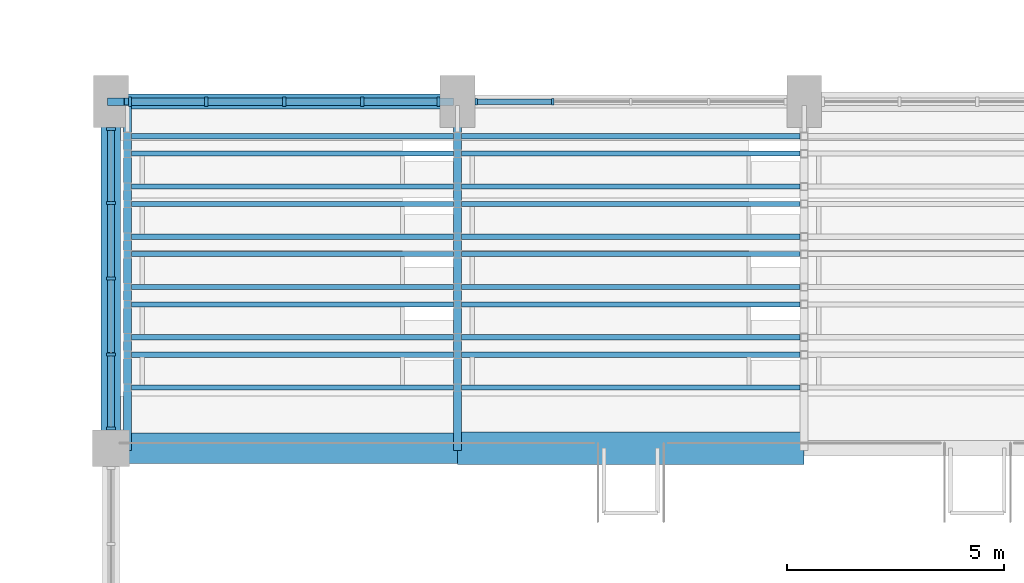
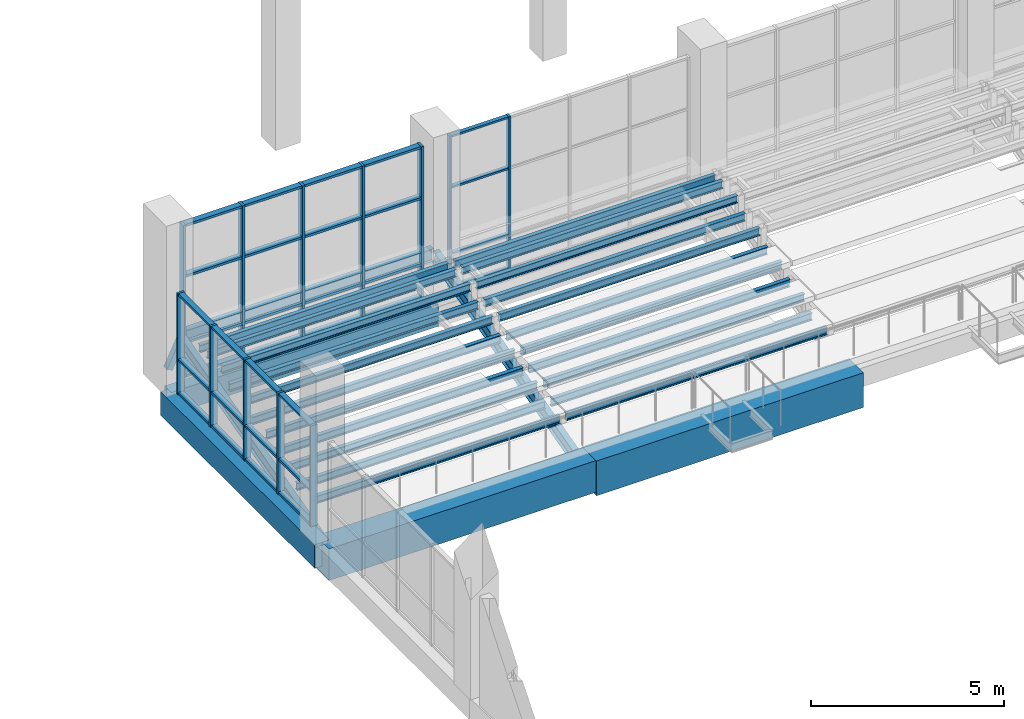
# One storey, part 15 of 122: 45 members, 29 beams, 3 elements without a shape of their own.
"""IFC4 building model written with IfcOpenShell, lengths in metres."""

from ifc_helpers import new_model, si_unit, direction, frame, origin, origin_2d, place, context, subcontext, project, spatial, rectangle, hollow_rectangle, i_section, extrude, material, material_profile, profile_set, type_object, element, aggregate, save


model = new_model("IFC4")

# Units and contexts
model_context = context("Model", 3, precision=1e-05, world=origin(), true_north=direction((0.0, 1.0)))
body_context = subcontext(model_context, "Body", "Model", "MODEL_VIEW")
ifc_project = project(units=[si_unit("LENGTHUNIT", "METRE"), si_unit("AREAUNIT", "SQUARE_METRE"), si_unit("VOLUMEUNIT", "CUBIC_METRE"), si_unit("PLANEANGLEUNIT", "RADIAN"), si_unit("MASSUNIT", "GRAM", prefix="KILO")], contexts=[model_context])

# Site, building, storey
site_placement = place(None, origin())
site = spatial("IfcSite", under=ifc_project, at=site_placement, CompositionType="ELEMENT")
building_placement = place(site_placement, origin())
building = spatial("IfcBuilding", under=site, at=building_placement, Name="Tenunan Teduh Sports Hall", CompositionType="ELEMENT")
storey_placement = place(building_placement, frame((0.0, 0.0, 5.39990234375)))
storey = spatial("IfcBuildingStorey", under=building, at=storey_placement, Name="L01", CompositionType="ELEMENT", Elevation=5.39990234375)

# Beams
ifc_material_1 = material(Name="Concrete C40/50", Category="concrete")
ifc_material_profile_1 = material_profile(ifc_material_1, rectangle(XDim=0.35009765625, YDim=0.699951171875, at=origin_2d()), Name="RCB 350x700")
ifc_profile_set_1 = profile_set([ifc_material_profile_1], Name="Concrete C40/50")
beam_type_1 = type_object("IfcBeamType", Name="BM-RC-350x700", PredefinedType="BEAM", material=ifc_profile_set_1)
beam_1_placement = place(storey_placement, frame((6.0, 46.0, -0.60986328125), z_axis=(1.0, 0.0, 0.0), x_axis=(0.0, 1.0, 0.0)))
element("IfcBeam", 1, at=beam_1_placement, inside=storey, type_object=beam_type_1, Name="BM-B-06-L01-1070", PredefinedType="BEAM", context=body_context, shape_type="SweptSolid", body=[
    extrude(rectangle(XDim=0.35009765625, YDim=0.699951171875, at=origin_2d()), origin(), (0.0, 0.0, 1.0), 8.0),
])
ifc_material_2 = material(Name="Concrete C40/50", Category="concrete")
ifc_material_profile_2 = material_profile(ifc_material_2, rectangle(XDim=0.449951171875, YDim=0.75, at=origin_2d()), Name="RCB 450x750")
ifc_profile_set_2 = profile_set([ifc_material_profile_2], Name="Concrete C40/50")
beam_type_2 = type_object("IfcBeamType", Name="BM-RC-450x750", PredefinedType="BEAM", material=ifc_profile_set_2)
beam_2_placement = place(storey_placement, frame((6.0, 38.0, -0.635009765625), z_axis=(0.0, 1.0, 0.0), x_axis=(-1.0, 0.0, 0.0)))
element("IfcBeam", 2, at=beam_2_placement, inside=storey, type_object=beam_type_2, Name="BM-B-11-L01-1188", PredefinedType="BEAM", context=body_context, shape_type="SweptSolid", body=[
    extrude(rectangle(XDim=0.449951171875, YDim=0.75, at=origin_2d()), origin(), (0.0, 0.0, 1.0), 8.0),
])
ifc_material_3 = material(Name="Concrete C40/50", Category="concrete")
ifc_material_profile_3 = material_profile(ifc_material_3, rectangle(XDim=0.699951171875, YDim=1.0, at=origin_2d()), Name="RCB 700x1000")
ifc_profile_set_3 = profile_set([ifc_material_profile_3], Name="Concrete C40/50")
beam_type_3 = type_object("IfcBeamType", Name="BM-RC-700x1000", PredefinedType="SPANDREL", material=ifc_profile_set_3)
beam_3_placement = place(storey_placement, frame((6.0, 38.0, -0.760009765625), z_axis=(1.0, 0.0, 0.0), x_axis=(0.0, 1.0, 0.0)))
element("IfcBeam", 3, at=beam_3_placement, inside=storey, type_object=beam_type_3, Name="BM-B-19-L01-1054", PredefinedType="SPANDREL", context=body_context, shape_type="SweptSolid", body=[
    extrude(rectangle(XDim=0.699951171875, YDim=1.0, at=origin_2d()), origin(), (0.0, 0.0, 1.0), 8.0),
])
ifc_material_4 = material(Name="Concrete C40/50", Category="concrete")
ifc_material_profile_4 = material_profile(ifc_material_4, rectangle(XDim=0.75, YDim=1.10009765625, at=origin_2d()), Name="RCB 750x1100")
ifc_profile_set_4 = profile_set([ifc_material_profile_4], Name="Concrete C40/50")
beam_type_4 = type_object("IfcBeamType", Name="BM-RC-750x1100", PredefinedType="SPANDREL", material=ifc_profile_set_4)
beam_4_placement = place(storey_placement, frame((14.0, 38.0, -0.809814453125), z_axis=(1.0, 0.0, 0.0), x_axis=(0.0, 1.0, 0.0)))
element("IfcBeam", 4, at=beam_4_placement, inside=storey, type_object=beam_type_4, Name="BM-B-20-L01-1055", PredefinedType="SPANDREL", context=body_context, shape_type="SweptSolid", body=[
    extrude(rectangle(XDim=0.75, YDim=1.10009765625, at=origin_2d()), origin(), (0.0, 0.0, 1.0), 8.0),
])

# Curtain wall, members
ifc_material_5 = material(Name="Anodised aluminium", Category="aluminium")
curtain_wall_type = type_object("IfcCurtainWallType", Name="CW-UNIT-1", PredefinedType="NOTDEFINED", material=ifc_material_5)
curtain_wall_1_placement = place(storey_placement, origin())
curtain_wall_1 = element("IfcCurtainWall", 5, at=curtain_wall_1_placement, inside=storey, type_object=curtain_wall_type, Name="CW-CWM-150-L01-043", PredefinedType="NOTDEFINED")
ifc_material_6 = material(Name="Anodised aluminium", Category="aluminium")
ifc_material_profile_5 = material_profile(ifc_material_6, rectangle(XDim=0.06005859375, YDim=0.14990234375, at=origin_2d()), Name="CWM 60x150")
ifc_profile_set_5 = profile_set([ifc_material_profile_5], Name="Anodised aluminium")
member_type_1 = type_object("IfcMemberType", Name="CWM-150", PredefinedType="MULLION", material=ifc_profile_set_5)
member_1_placement = place(storey_placement, frame((14.429931640625, 46.0, 0.0), z_axis=(0.0, 0.0, 1.0), x_axis=(1.0, 0.0, 0.0)))
member_1 = element("IfcMember", 6, at=member_1_placement, type_object=member_type_1, Name="CW-01 mullion 1", PredefinedType="MULLION", context=body_context, shape_type="SweptSolid", body=[
    extrude(rectangle(XDim=0.06005859375, YDim=0.14990234375, at=origin_2d()), origin(), (0.0, 0.0, 1.0), 4.85009765625),
])
member_2_placement = place(storey_placement, frame((16.199951171875, 46.0, 0.0), z_axis=(0.0, 0.0, 1.0), x_axis=(1.0, 0.0, 0.0)))
member_2 = element("IfcMember", 7, at=member_2_placement, type_object=member_type_1, Name="CW-01 mullion 2", PredefinedType="MULLION", context=body_context, shape_type="SweptSolid", body=[
    extrude(rectangle(XDim=0.06005859375, YDim=0.14990234375, at=origin_2d()), origin(), (0.0, 0.0, 1.0), 4.85009765625),
])

curtain_wall_2_placement = place(storey_placement, origin())
curtain_wall_2 = element("IfcCurtainWall", 8, at=curtain_wall_2_placement, inside=storey, type_object=curtain_wall_type, Name="CW-CWM-200-L01-056", PredefinedType="NOTDEFINED")
ifc_material_7 = material(Name="Anodised aluminium", Category="aluminium")
ifc_material_profile_6 = material_profile(ifc_material_7, rectangle(XDim=0.070068359375, YDim=0.199951171875, at=origin_2d()), Name="CWM 70x200")
ifc_profile_set_6 = profile_set([ifc_material_profile_6], Name="Anodised aluminium")
member_type_2 = type_object("IfcMemberType", Name="CWM-200", PredefinedType="MULLION", material=ifc_profile_set_6)
member_3_placement = place(storey_placement, frame((6.0, 38.4599609375, 0.0), z_axis=(0.0, 0.0, 1.0), x_axis=(0.0, 1.0, 0.0)))
member_3 = element("IfcMember", 9, at=member_3_placement, type_object=member_type_2, Name="CW-01 mullion 1", PredefinedType="MULLION", context=body_context, shape_type="SweptSolid", body=[
    extrude(rectangle(XDim=0.070068359375, YDim=0.199951171875, at=origin_2d()), origin(), (0.0, 0.0, 1.0), 3.2001953125),
])
member_4_placement = place(storey_placement, frame((6.0, 40.168701171875, 0.0), z_axis=(0.0, 0.0, 1.0), x_axis=(0.0, 1.0, 0.0)))
member_4 = element("IfcMember", 10, at=member_4_placement, type_object=member_type_2, Name="CW-01 mullion 2", PredefinedType="MULLION", context=body_context, shape_type="SweptSolid", body=[
    extrude(rectangle(XDim=0.070068359375, YDim=0.199951171875, at=origin_2d()), origin(), (0.0, 0.0, 1.0), 3.2001953125),
])
member_5_placement = place(storey_placement, frame((6.0, 41.91259765625, 0.0), z_axis=(0.0, 0.0, 1.0), x_axis=(0.0, 1.0, 0.0)))
member_5 = element("IfcMember", 11, at=member_5_placement, type_object=member_type_2, Name="CW-01 mullion 3", PredefinedType="MULLION", context=body_context, shape_type="SweptSolid", body=[
    extrude(rectangle(XDim=0.070068359375, YDim=0.199951171875, at=origin_2d()), origin(), (0.0, 0.0, 1.0), 3.2001953125),
])
member_6_placement = place(storey_placement, frame((6.0, 43.65625, 0.0), z_axis=(0.0, 0.0, 1.0), x_axis=(0.0, 1.0, 0.0)))
member_6 = element("IfcMember", 12, at=member_6_placement, type_object=member_type_2, Name="CW-01 mullion 4", PredefinedType="MULLION", context=body_context, shape_type="SweptSolid", body=[
    extrude(rectangle(XDim=0.070068359375, YDim=0.199951171875, at=origin_2d()), origin(), (0.0, 0.0, 1.0), 3.2001953125),
])
member_7_placement = place(storey_placement, frame((6.0, 45.364990234375, 0.0), z_axis=(0.0, 0.0, 1.0), x_axis=(0.0, 1.0, 0.0)))
member_7 = element("IfcMember", 13, at=member_7_placement, type_object=member_type_2, Name="CW-01 mullion 5", PredefinedType="MULLION", context=body_context, shape_type="SweptSolid", body=[
    extrude(rectangle(XDim=0.070068359375, YDim=0.199951171875, at=origin_2d()), origin(), (0.0, 0.0, 1.0), 3.2001953125),
])

curtain_wall_3_placement = place(storey_placement, origin())
curtain_wall_3 = element("IfcCurtainWall", 14, at=curtain_wall_3_placement, inside=storey, type_object=curtain_wall_type, Name="CW-CWM-220-L01-041", PredefinedType="NOTDEFINED")
ifc_material_8 = material(Name="Anodised aluminium", Category="aluminium")
ifc_material_profile_7 = material_profile(ifc_material_8, rectangle(XDim=0.074951171875, YDim=0.219970703125, at=origin_2d()), Name="CWM 75x220")
ifc_profile_set_7 = profile_set([ifc_material_profile_7], Name="Anodised aluminium")
member_type_3 = type_object("IfcMemberType", Name="CWM-220", PredefinedType="MULLION", material=ifc_profile_set_7)
member_8_placement = place(storey_placement, frame((6.4375, 46.0, 0.0), z_axis=(0.0, 0.0, 1.0), x_axis=(1.0, 0.0, 0.0)))
member_8 = element("IfcMember", 15, at=member_8_placement, type_object=member_type_3, Name="CW-01 mullion 1", PredefinedType="MULLION", context=body_context, shape_type="SweptSolid", body=[
    extrude(rectangle(XDim=0.074951171875, YDim=0.219970703125, at=origin_2d()), origin(), (0.0, 0.0, 1.0), 4.85009765625),
])
member_9_placement = place(storey_placement, frame((8.199951171875, 46.0, 0.0), z_axis=(0.0, 0.0, 1.0), x_axis=(1.0, 0.0, 0.0)))
member_9 = element("IfcMember", 16, at=member_9_placement, type_object=member_type_3, Name="CW-01 mullion 2", PredefinedType="MULLION", context=body_context, shape_type="SweptSolid", body=[
    extrude(rectangle(XDim=0.074951171875, YDim=0.219970703125, at=origin_2d()), origin(), (0.0, 0.0, 1.0), 4.85009765625),
])
member_10_placement = place(storey_placement, frame((10.0, 46.0, 0.0), z_axis=(0.0, 0.0, 1.0), x_axis=(1.0, 0.0, 0.0)))
member_10 = element("IfcMember", 17, at=member_10_placement, type_object=member_type_3, Name="CW-01 mullion 3", PredefinedType="MULLION", context=body_context, shape_type="SweptSolid", body=[
    extrude(rectangle(XDim=0.074951171875, YDim=0.219970703125, at=origin_2d()), origin(), (0.0, 0.0, 1.0), 4.85009765625),
])
member_11_placement = place(storey_placement, frame((11.800048828125, 46.0, 0.0), z_axis=(0.0, 0.0, 1.0), x_axis=(1.0, 0.0, 0.0)))
member_11 = element("IfcMember", 18, at=member_11_placement, type_object=member_type_3, Name="CW-01 mullion 4", PredefinedType="MULLION", context=body_context, shape_type="SweptSolid", body=[
    extrude(rectangle(XDim=0.074951171875, YDim=0.219970703125, at=origin_2d()), origin(), (0.0, 0.0, 1.0), 4.85009765625),
])
member_12_placement = place(storey_placement, frame((13.5625, 46.0, 0.0), z_axis=(0.0, 0.0, 1.0), x_axis=(1.0, 0.0, 0.0)))
member_12 = element("IfcMember", 19, at=member_12_placement, type_object=member_type_3, Name="CW-01 mullion 5", PredefinedType="MULLION", context=body_context, shape_type="SweptSolid", body=[
    extrude(rectangle(XDim=0.074951171875, YDim=0.219970703125, at=origin_2d()), origin(), (0.0, 0.0, 1.0), 4.85009765625),
])

# Member
ifc_material_9 = material(Name="Anodised aluminium", Category="aluminium")
ifc_material_profile_8 = material_profile(ifc_material_9, rectangle(XDim=0.06005859375, YDim=0.1201171875, at=origin_2d()), Name="CWT 60x120")
ifc_profile_set_8 = profile_set([ifc_material_profile_8], Name="Anodised aluminium")
member_type_4 = type_object("IfcMemberType", Name="CWT-125", PredefinedType="USERDEFINED", material=ifc_profile_set_8)
member_13_placement = place(storey_placement, frame((14.4599609375, 46.0, 0.030029296875), z_axis=(1.0, 0.0, 0.0), x_axis=(0.0, 0.0, 1.0)))
member_13 = element("IfcMember", 20, at=member_13_placement, type_object=member_type_4, Name="CW-01 transom 1.1", ObjectType="TRANSOM", PredefinedType="USERDEFINED", context=body_context, shape_type="SweptSolid", body=[
    extrude(rectangle(XDim=0.06005859375, YDim=0.1201171875, at=origin_2d()), origin(), (0.0, 0.0, 1.0), 1.7099609375),
])

member_14_placement = place(storey_placement, frame((14.4599609375, 46.0, 1.10009765625), z_axis=(1.0, 0.0, 0.0), x_axis=(0.0, 0.0, 1.0)))
member_14 = element("IfcMember", 21, at=member_14_placement, type_object=member_type_4, Name="CW-01 transom 1.2", ObjectType="TRANSOM", PredefinedType="USERDEFINED", context=body_context, shape_type="SweptSolid", body=[
    extrude(rectangle(XDim=0.06005859375, YDim=0.1201171875, at=origin_2d()), origin(), (0.0, 0.0, 1.0), 1.7099609375),
])

member_15_placement = place(storey_placement, frame((14.4599609375, 46.0, 3.2001953125), z_axis=(1.0, 0.0, 0.0), x_axis=(0.0, 0.0, 1.0)))
member_15 = element("IfcMember", 22, at=member_15_placement, type_object=member_type_4, Name="CW-01 transom 1.3", ObjectType="TRANSOM", PredefinedType="USERDEFINED", context=body_context, shape_type="SweptSolid", body=[
    extrude(rectangle(XDim=0.06005859375, YDim=0.1201171875, at=origin_2d()), origin(), (0.0, 0.0, 1.0), 1.7099609375),
])

member_16_placement = place(storey_placement, frame((14.4599609375, 46.0, 4.820068359375), z_axis=(1.0, 0.0, 0.0), x_axis=(0.0, 0.0, 1.0)))
member_16 = element("IfcMember", 23, at=member_16_placement, type_object=member_type_4, Name="CW-01 transom 1.4", ObjectType="TRANSOM", PredefinedType="USERDEFINED", context=body_context, shape_type="SweptSolid", body=[
    extrude(rectangle(XDim=0.06005859375, YDim=0.1201171875, at=origin_2d()), origin(), (0.0, 0.0, 1.0), 1.7099609375),
])

aggregate(curtain_wall_1, [member_1, member_2, member_13, member_14, member_15, member_16])

ifc_material_10 = material(Name="Anodised aluminium", Category="aluminium")
ifc_material_profile_9 = material_profile(ifc_material_10, rectangle(XDim=0.074951171875, YDim=0.179931640625, at=origin_2d()), Name="CWT 75x180")
ifc_profile_set_9 = profile_set([ifc_material_profile_9], Name="Anodised aluminium")
member_type_5 = type_object("IfcMemberType", Name="CWT-180", PredefinedType="USERDEFINED", material=ifc_profile_set_9)
member_17_placement = place(storey_placement, frame((6.47509765625, 46.0, 0.03759765625), z_axis=(1.0, 0.0, 0.0), x_axis=(0.0, 0.0, 1.0)))
member_17 = element("IfcMember", 24, at=member_17_placement, type_object=member_type_5, Name="CW-01 transom 1.1", ObjectType="TRANSOM", PredefinedType="USERDEFINED", context=body_context, shape_type="SweptSolid", body=[
    extrude(rectangle(XDim=0.074951171875, YDim=0.179931640625, at=origin_2d()), origin(), (0.0, 0.0, 1.0), 1.6875),
])

member_18_placement = place(storey_placement, frame((6.47509765625, 46.0, 1.10009765625), z_axis=(1.0, 0.0, 0.0), x_axis=(0.0, 0.0, 1.0)))
member_18 = element("IfcMember", 25, at=member_18_placement, type_object=member_type_5, Name="CW-01 transom 1.2", ObjectType="TRANSOM", PredefinedType="USERDEFINED", context=body_context, shape_type="SweptSolid", body=[
    extrude(rectangle(XDim=0.074951171875, YDim=0.179931640625, at=origin_2d()), origin(), (0.0, 0.0, 1.0), 1.6875),
])

member_19_placement = place(storey_placement, frame((6.47509765625, 46.0, 3.2001953125), z_axis=(1.0, 0.0, 0.0), x_axis=(0.0, 0.0, 1.0)))
member_19 = element("IfcMember", 26, at=member_19_placement, type_object=member_type_5, Name="CW-01 transom 1.3", ObjectType="TRANSOM", PredefinedType="USERDEFINED", context=body_context, shape_type="SweptSolid", body=[
    extrude(rectangle(XDim=0.074951171875, YDim=0.179931640625, at=origin_2d()), origin(), (0.0, 0.0, 1.0), 1.6875),
])

member_20_placement = place(storey_placement, frame((6.47509765625, 46.0, 4.8125), z_axis=(1.0, 0.0, 0.0), x_axis=(0.0, 0.0, 1.0)))
member_20 = element("IfcMember", 27, at=member_20_placement, type_object=member_type_5, Name="CW-01 transom 1.4", ObjectType="TRANSOM", PredefinedType="USERDEFINED", context=body_context, shape_type="SweptSolid", body=[
    extrude(rectangle(XDim=0.074951171875, YDim=0.179931640625, at=origin_2d()), origin(), (0.0, 0.0, 1.0), 1.6875),
])

member_21_placement = place(storey_placement, frame((8.237548828125, 46.0, 0.03759765625), z_axis=(1.0, 0.0, 0.0), x_axis=(0.0, 0.0, 1.0)))
member_21 = element("IfcMember", 28, at=member_21_placement, type_object=member_type_5, Name="CW-01 transom 2.1", ObjectType="TRANSOM", PredefinedType="USERDEFINED", context=body_context, shape_type="SweptSolid", body=[
    extrude(rectangle(XDim=0.074951171875, YDim=0.179931640625, at=origin_2d()), origin(), (0.0, 0.0, 1.0), 1.724853515625),
])

member_22_placement = place(storey_placement, frame((8.237548828125, 46.0, 1.10009765625), z_axis=(1.0, 0.0, 0.0), x_axis=(0.0, 0.0, 1.0)))
member_22 = element("IfcMember", 29, at=member_22_placement, type_object=member_type_5, Name="CW-01 transom 2.2", ObjectType="TRANSOM", PredefinedType="USERDEFINED", context=body_context, shape_type="SweptSolid", body=[
    extrude(rectangle(XDim=0.074951171875, YDim=0.179931640625, at=origin_2d()), origin(), (0.0, 0.0, 1.0), 1.724853515625),
])

member_23_placement = place(storey_placement, frame((8.237548828125, 46.0, 3.2001953125), z_axis=(1.0, 0.0, 0.0), x_axis=(0.0, 0.0, 1.0)))
member_23 = element("IfcMember", 30, at=member_23_placement, type_object=member_type_5, Name="CW-01 transom 2.3", ObjectType="TRANSOM", PredefinedType="USERDEFINED", context=body_context, shape_type="SweptSolid", body=[
    extrude(rectangle(XDim=0.074951171875, YDim=0.179931640625, at=origin_2d()), origin(), (0.0, 0.0, 1.0), 1.724853515625),
])

member_24_placement = place(storey_placement, frame((8.237548828125, 46.0, 4.8125), z_axis=(1.0, 0.0, 0.0), x_axis=(0.0, 0.0, 1.0)))
member_24 = element("IfcMember", 31, at=member_24_placement, type_object=member_type_5, Name="CW-01 transom 2.4", ObjectType="TRANSOM", PredefinedType="USERDEFINED", context=body_context, shape_type="SweptSolid", body=[
    extrude(rectangle(XDim=0.074951171875, YDim=0.179931640625, at=origin_2d()), origin(), (0.0, 0.0, 1.0), 1.724853515625),
])

member_25_placement = place(storey_placement, frame((10.03759765625, 46.0, 0.03759765625), z_axis=(1.0, 0.0, 0.0), x_axis=(0.0, 0.0, 1.0)))
member_25 = element("IfcMember", 32, at=member_25_placement, type_object=member_type_5, Name="CW-01 transom 3.1", ObjectType="TRANSOM", PredefinedType="USERDEFINED", context=body_context, shape_type="SweptSolid", body=[
    extrude(rectangle(XDim=0.074951171875, YDim=0.179931640625, at=origin_2d()), origin(), (0.0, 0.0, 1.0), 1.724853515625),
])

member_26_placement = place(storey_placement, frame((10.03759765625, 46.0, 1.10009765625), z_axis=(1.0, 0.0, 0.0), x_axis=(0.0, 0.0, 1.0)))
member_26 = element("IfcMember", 33, at=member_26_placement, type_object=member_type_5, Name="CW-01 transom 3.2", ObjectType="TRANSOM", PredefinedType="USERDEFINED", context=body_context, shape_type="SweptSolid", body=[
    extrude(rectangle(XDim=0.074951171875, YDim=0.179931640625, at=origin_2d()), origin(), (0.0, 0.0, 1.0), 1.724853515625),
])

member_27_placement = place(storey_placement, frame((10.03759765625, 46.0, 3.2001953125), z_axis=(1.0, 0.0, 0.0), x_axis=(0.0, 0.0, 1.0)))
member_27 = element("IfcMember", 34, at=member_27_placement, type_object=member_type_5, Name="CW-01 transom 3.3", ObjectType="TRANSOM", PredefinedType="USERDEFINED", context=body_context, shape_type="SweptSolid", body=[
    extrude(rectangle(XDim=0.074951171875, YDim=0.179931640625, at=origin_2d()), origin(), (0.0, 0.0, 1.0), 1.724853515625),
])

member_28_placement = place(storey_placement, frame((10.03759765625, 46.0, 4.8125), z_axis=(1.0, 0.0, 0.0), x_axis=(0.0, 0.0, 1.0)))
member_28 = element("IfcMember", 35, at=member_28_placement, type_object=member_type_5, Name="CW-01 transom 3.4", ObjectType="TRANSOM", PredefinedType="USERDEFINED", context=body_context, shape_type="SweptSolid", body=[
    extrude(rectangle(XDim=0.074951171875, YDim=0.179931640625, at=origin_2d()), origin(), (0.0, 0.0, 1.0), 1.724853515625),
])

member_29_placement = place(storey_placement, frame((11.83740234375, 46.0, 0.03759765625), z_axis=(1.0, 0.0, 0.0), x_axis=(0.0, 0.0, 1.0)))
member_29 = element("IfcMember", 36, at=member_29_placement, type_object=member_type_5, Name="CW-01 transom 4.1", ObjectType="TRANSOM", PredefinedType="USERDEFINED", context=body_context, shape_type="SweptSolid", body=[
    extrude(rectangle(XDim=0.074951171875, YDim=0.179931640625, at=origin_2d()), origin(), (0.0, 0.0, 1.0), 1.6875),
])

member_30_placement = place(storey_placement, frame((11.83740234375, 46.0, 1.10009765625), z_axis=(1.0, 0.0, 0.0), x_axis=(0.0, 0.0, 1.0)))
member_30 = element("IfcMember", 37, at=member_30_placement, type_object=member_type_5, Name="CW-01 transom 4.2", ObjectType="TRANSOM", PredefinedType="USERDEFINED", context=body_context, shape_type="SweptSolid", body=[
    extrude(rectangle(XDim=0.074951171875, YDim=0.179931640625, at=origin_2d()), origin(), (0.0, 0.0, 1.0), 1.6875),
])

member_31_placement = place(storey_placement, frame((11.83740234375, 46.0, 3.2001953125), z_axis=(1.0, 0.0, 0.0), x_axis=(0.0, 0.0, 1.0)))
member_31 = element("IfcMember", 38, at=member_31_placement, type_object=member_type_5, Name="CW-01 transom 4.3", ObjectType="TRANSOM", PredefinedType="USERDEFINED", context=body_context, shape_type="SweptSolid", body=[
    extrude(rectangle(XDim=0.074951171875, YDim=0.179931640625, at=origin_2d()), origin(), (0.0, 0.0, 1.0), 1.6875),
])

member_32_placement = place(storey_placement, frame((11.83740234375, 46.0, 4.8125), z_axis=(1.0, 0.0, 0.0), x_axis=(0.0, 0.0, 1.0)))
member_32 = element("IfcMember", 39, at=member_32_placement, type_object=member_type_5, Name="CW-01 transom 4.4", ObjectType="TRANSOM", PredefinedType="USERDEFINED", context=body_context, shape_type="SweptSolid", body=[
    extrude(rectangle(XDim=0.074951171875, YDim=0.179931640625, at=origin_2d()), origin(), (0.0, 0.0, 1.0), 1.6875),
])

aggregate(curtain_wall_3, [member_8, member_9, member_10, member_11, member_12, member_17, member_18, member_19, member_20, member_21, member_22, member_23, member_24, member_25, member_26, member_27, member_28, member_29, member_30, member_31, member_32])

ifc_material_11 = material(Name="Anodised aluminium", Category="aluminium")
ifc_material_profile_10 = material_profile(ifc_material_11, rectangle(XDim=0.070068359375, YDim=0.159912109375, at=origin_2d()), Name="CWT 70x160")
ifc_profile_set_10 = profile_set([ifc_material_profile_10], Name="Anodised aluminium")
member_type_6 = type_object("IfcMemberType", Name="CWT-200", PredefinedType="USERDEFINED", material=ifc_profile_set_10)
member_33_placement = place(storey_placement, frame((6.0, 38.4951171875, 0.03515625), z_axis=(0.0, 1.0, 0.0), x_axis=(0.0, 0.0, 1.0)))
member_33 = element("IfcMember", 40, at=member_33_placement, type_object=member_type_6, Name="CW-01 transom 1.1", ObjectType="TRANSOM", PredefinedType="USERDEFINED", context=body_context, shape_type="SweptSolid", body=[
    extrude(rectangle(XDim=0.070068359375, YDim=0.159912109375, at=origin_2d()), origin(), (0.0, 0.0, 1.0), 1.638671875),
])

member_34_placement = place(storey_placement, frame((6.0, 38.4951171875, 1.10009765625), z_axis=(0.0, 1.0, 0.0), x_axis=(0.0, 0.0, 1.0)))
member_34 = element("IfcMember", 41, at=member_34_placement, type_object=member_type_6, Name="CW-01 transom 1.2", ObjectType="TRANSOM", PredefinedType="USERDEFINED", context=body_context, shape_type="SweptSolid", body=[
    extrude(rectangle(XDim=0.070068359375, YDim=0.159912109375, at=origin_2d()), origin(), (0.0, 0.0, 1.0), 1.638671875),
])

member_35_placement = place(storey_placement, frame((6.0, 38.4951171875, 3.1650390625), z_axis=(0.0, 1.0, 0.0), x_axis=(0.0, 0.0, 1.0)))
member_35 = element("IfcMember", 42, at=member_35_placement, type_object=member_type_6, Name="CW-01 transom 1.3", ObjectType="TRANSOM", PredefinedType="USERDEFINED", context=body_context, shape_type="SweptSolid", body=[
    extrude(rectangle(XDim=0.070068359375, YDim=0.159912109375, at=origin_2d()), origin(), (0.0, 0.0, 1.0), 1.638671875),
])

member_36_placement = place(storey_placement, frame((6.0, 40.203857421875, 0.03515625), z_axis=(0.0, 1.0, 0.0), x_axis=(0.0, 0.0, 1.0)))
member_36 = element("IfcMember", 43, at=member_36_placement, type_object=member_type_6, Name="CW-01 transom 2.1", ObjectType="TRANSOM", PredefinedType="USERDEFINED", context=body_context, shape_type="SweptSolid", body=[
    extrude(rectangle(XDim=0.070068359375, YDim=0.159912109375, at=origin_2d()), origin(), (0.0, 0.0, 1.0), 1.673583984375),
])

member_37_placement = place(storey_placement, frame((6.0, 40.203857421875, 1.10009765625), z_axis=(0.0, 1.0, 0.0), x_axis=(0.0, 0.0, 1.0)))
member_37 = element("IfcMember", 44, at=member_37_placement, type_object=member_type_6, Name="CW-01 transom 2.2", ObjectType="TRANSOM", PredefinedType="USERDEFINED", context=body_context, shape_type="SweptSolid", body=[
    extrude(rectangle(XDim=0.070068359375, YDim=0.159912109375, at=origin_2d()), origin(), (0.0, 0.0, 1.0), 1.673583984375),
])

member_38_placement = place(storey_placement, frame((6.0, 40.203857421875, 3.1650390625), z_axis=(0.0, 1.0, 0.0), x_axis=(0.0, 0.0, 1.0)))
member_38 = element("IfcMember", 45, at=member_38_placement, type_object=member_type_6, Name="CW-01 transom 2.3", ObjectType="TRANSOM", PredefinedType="USERDEFINED", context=body_context, shape_type="SweptSolid", body=[
    extrude(rectangle(XDim=0.070068359375, YDim=0.159912109375, at=origin_2d()), origin(), (0.0, 0.0, 1.0), 1.673583984375),
])

member_39_placement = place(storey_placement, frame((6.0, 41.947509765625, 0.03515625), z_axis=(0.0, 1.0, 0.0), x_axis=(0.0, 0.0, 1.0)))
member_39 = element("IfcMember", 46, at=member_39_placement, type_object=member_type_6, Name="CW-01 transom 3.1", ObjectType="TRANSOM", PredefinedType="USERDEFINED", context=body_context, shape_type="SweptSolid", body=[
    extrude(rectangle(XDim=0.070068359375, YDim=0.159912109375, at=origin_2d()), origin(), (0.0, 0.0, 1.0), 1.673828125),
])

member_40_placement = place(storey_placement, frame((6.0, 41.947509765625, 1.10009765625), z_axis=(0.0, 1.0, 0.0), x_axis=(0.0, 0.0, 1.0)))
member_40 = element("IfcMember", 47, at=member_40_placement, type_object=member_type_6, Name="CW-01 transom 3.2", ObjectType="TRANSOM", PredefinedType="USERDEFINED", context=body_context, shape_type="SweptSolid", body=[
    extrude(rectangle(XDim=0.070068359375, YDim=0.159912109375, at=origin_2d()), origin(), (0.0, 0.0, 1.0), 1.673828125),
])

member_41_placement = place(storey_placement, frame((6.0, 41.947509765625, 3.1650390625), z_axis=(0.0, 1.0, 0.0), x_axis=(0.0, 0.0, 1.0)))
member_41 = element("IfcMember", 48, at=member_41_placement, type_object=member_type_6, Name="CW-01 transom 3.3", ObjectType="TRANSOM", PredefinedType="USERDEFINED", context=body_context, shape_type="SweptSolid", body=[
    extrude(rectangle(XDim=0.070068359375, YDim=0.159912109375, at=origin_2d()), origin(), (0.0, 0.0, 1.0), 1.673828125),
])

member_42_placement = place(storey_placement, frame((6.0, 43.691162109375, 0.03515625), z_axis=(0.0, 1.0, 0.0), x_axis=(0.0, 0.0, 1.0)))
member_42 = element("IfcMember", 49, at=member_42_placement, type_object=member_type_6, Name="CW-01 transom 4.1", ObjectType="TRANSOM", PredefinedType="USERDEFINED", context=body_context, shape_type="SweptSolid", body=[
    extrude(rectangle(XDim=0.070068359375, YDim=0.159912109375, at=origin_2d()), origin(), (0.0, 0.0, 1.0), 1.638916015625),
])

member_43_placement = place(storey_placement, frame((6.0, 43.691162109375, 1.10009765625), z_axis=(0.0, 1.0, 0.0), x_axis=(0.0, 0.0, 1.0)))
member_43 = element("IfcMember", 50, at=member_43_placement, type_object=member_type_6, Name="CW-01 transom 4.2", ObjectType="TRANSOM", PredefinedType="USERDEFINED", context=body_context, shape_type="SweptSolid", body=[
    extrude(rectangle(XDim=0.070068359375, YDim=0.159912109375, at=origin_2d()), origin(), (0.0, 0.0, 1.0), 1.638916015625),
])

member_44_placement = place(storey_placement, frame((6.0, 43.691162109375, 3.1650390625), z_axis=(0.0, 1.0, 0.0), x_axis=(0.0, 0.0, 1.0)))
member_44 = element("IfcMember", 51, at=member_44_placement, type_object=member_type_6, Name="CW-01 transom 4.3", ObjectType="TRANSOM", PredefinedType="USERDEFINED", context=body_context, shape_type="SweptSolid", body=[
    extrude(rectangle(XDim=0.070068359375, YDim=0.159912109375, at=origin_2d()), origin(), (0.0, 0.0, 1.0), 1.638916015625),
])

aggregate(curtain_wall_2, [member_3, member_4, member_5, member_6, member_7, member_33, member_34, member_35, member_36, member_37, member_38, member_39, member_40, member_41, member_42, member_43, member_44])

# Beams
ifc_material_12 = material(Name="Steel S355", Category="steel")
ifc_material_profile_11 = material_profile(ifc_material_12, i_section(OverallWidth=0.1201171875, OverallDepth=0.239990234375, WebThickness=0.006103515625, FlangeThickness=0.009765625, FilletRadius=0.014892578125, at=origin_2d()), Name="IPE 240")
ifc_profile_set_11 = profile_set([ifc_material_profile_11], Name="Steel S355")
beam_type_5 = type_object("IfcBeamType", Name="JST-IPE240", PredefinedType="JOIST", material=ifc_profile_set_11)
beam_5_placement = place(storey_placement, frame((6.469970703125, 45.199951171875, 1.360107421875), z_axis=(1.0, 0.0, 0.0), x_axis=(0.0, 1.0, 0.0)))
element("IfcBeam", 52, at=beam_5_placement, inside=storey, type_object=beam_type_5, Name="BM-J-02-L01-2405", PredefinedType="JOIST", context=body_context, shape_type="SweptSolid", body=[
    extrude(i_section(OverallWidth=0.1201171875, OverallDepth=0.239990234375, WebThickness=0.006103515625, FlangeThickness=0.009765625, FilletRadius=0.014892578125, at=origin_2d()), origin(), (0.0, 0.0, 1.0), 7.43994140625),
])
beam_6_placement = place(storey_placement, frame((14.090087890625, 45.199951171875, 1.360107421875), z_axis=(1.0, 0.0, 0.0), x_axis=(0.0, 1.0, 0.0)))
element("IfcBeam", 53, at=beam_6_placement, inside=storey, type_object=beam_type_5, Name="BM-J-02-L01-2407", PredefinedType="JOIST", context=body_context, shape_type="SweptSolid", body=[
    extrude(i_section(OverallWidth=0.1201171875, OverallDepth=0.239990234375, WebThickness=0.006103515625, FlangeThickness=0.009765625, FilletRadius=0.014892578125, at=origin_2d()), origin(), (0.0, 0.0, 1.0), 7.81982421875),
])
for number, where, z_axis, x_axis, name in (
    (54, (6.469970703125, 39.39990234375, 0.050048828125), (1.0, 0.0, 0.0), (0.0, 1.0, 0.0), "BM-J-02-L01-2416"),
    (55, (6.469970703125, 40.159912109375, 0.050048828125), (1.0, 0.0, 0.0), (0.0, 1.0, 0.0), "BM-J-02-L01-2417"),
    (56, (6.469970703125, 40.56005859375, 0.405029296875), (1.0, 0.0, 0.0), (0.0, 1.0, 0.0), "BM-J-02-L01-2420"),
    (57, (6.469970703125, 41.320068359375, 0.405029296875), (1.0, 0.0, 0.0), (0.0, 1.0, 0.0), "BM-J-02-L01-2421"),
    (58, (6.469970703125, 41.719970703125, 0.72998046875), (1.0, 0.0, 0.0), (0.0, 1.0, 0.0), "BM-J-02-L01-2424"),
    (59, (6.469970703125, 42.47998046875, 0.72998046875), (1.0, 0.0, 0.0), (0.0, 1.0, 0.0), "BM-J-02-L01-2425"),
    (60, (6.469970703125, 42.8798828125, 1.085205078125), (1.0, 0.0, 0.0), (0.0, 1.0, 0.0), "BM-J-02-L01-2428"),
    (61, (6.469970703125, 43.639892578125, 1.085205078125), (1.0, 0.0, 0.0), (0.0, 1.0, 0.0), "BM-J-02-L01-2429"),
    (62, (6.469970703125, 44.0400390625, 1.41015625), (1.0, 0.0, 0.0), (0.0, 1.0, 0.0), "BM-J-02-L01-2432"),
    (63, (6.469970703125, 44.800048828125, 1.41015625), (1.0, 0.0, 0.0), (0.0, 1.0, 0.0), "BM-J-02-L01-2433"),
):
    element("IfcBeam", number, at=place(storey_placement, frame(where, z_axis=z_axis, x_axis=x_axis)), inside=storey, type_object=beam_type_5, Name=name, PredefinedType="JOIST", context=body_context, shape_type="SweptSolid", body=[
        extrude(i_section(OverallWidth=0.1201171875, OverallDepth=0.239990234375, WebThickness=0.006103515625, FlangeThickness=0.009765625, FilletRadius=0.014892578125, at=origin_2d()), origin(), (0.0, 0.0, 1.0), 7.43994140625),
    ])
for number, where, z_axis, x_axis, name in (
    (64, (14.090087890625, 39.39990234375, 0.050048828125), (1.0, 0.0, 0.0), (0.0, 1.0, 0.0), "BM-J-02-L01-2436"),
    (65, (14.090087890625, 40.159912109375, 0.050048828125), (1.0, 0.0, 0.0), (0.0, 1.0, 0.0), "BM-J-02-L01-2437"),
    (66, (14.090087890625, 40.56005859375, 0.405029296875), (1.0, 0.0, 0.0), (0.0, 1.0, 0.0), "BM-J-02-L01-2440"),
    (67, (14.090087890625, 41.320068359375, 0.405029296875), (1.0, 0.0, 0.0), (0.0, 1.0, 0.0), "BM-J-02-L01-2441"),
    (68, (14.090087890625, 41.719970703125, 0.72998046875), (1.0, 0.0, 0.0), (0.0, 1.0, 0.0), "BM-J-02-L01-2444"),
    (69, (14.090087890625, 42.47998046875, 0.72998046875), (1.0, 0.0, 0.0), (0.0, 1.0, 0.0), "BM-J-02-L01-2445"),
    (70, (14.090087890625, 42.8798828125, 1.085205078125), (1.0, 0.0, 0.0), (0.0, 1.0, 0.0), "BM-J-02-L01-2448"),
    (71, (14.090087890625, 43.639892578125, 1.085205078125), (1.0, 0.0, 0.0), (0.0, 1.0, 0.0), "BM-J-02-L01-2449"),
    (72, (14.090087890625, 44.0400390625, 1.41015625), (1.0, 0.0, 0.0), (0.0, 1.0, 0.0), "BM-J-02-L01-2452"),
    (73, (14.090087890625, 44.800048828125, 1.41015625), (1.0, 0.0, 0.0), (0.0, 1.0, 0.0), "BM-J-02-L01-2453"),
):
    element("IfcBeam", number, at=place(storey_placement, frame(where, z_axis=z_axis, x_axis=x_axis)), inside=storey, type_object=beam_type_5, Name=name, PredefinedType="JOIST", context=body_context, shape_type="SweptSolid", body=[
        extrude(i_section(OverallWidth=0.1201171875, OverallDepth=0.239990234375, WebThickness=0.006103515625, FlangeThickness=0.009765625, FilletRadius=0.014892578125, at=origin_2d()), origin(), (0.0, 0.0, 1.0), 7.81982421875),
    ])

# Member
ifc_material_13 = material(Name="Steel S355", Category="steel")
ifc_material_profile_12 = material_profile(ifc_material_13, hollow_rectangle(XDim=0.179931640625, YDim=0.179931640625, WallThickness=0.010009765625, at=origin_2d()), Name="SHS 180x180x10.0")
ifc_profile_set_12 = profile_set([ifc_material_profile_12], Name="Steel S355")
member_type_7 = type_object("IfcMemberType", Name="MEM-ST-SHS180", PredefinedType="STRUT", material=ifc_profile_set_12)
member_45_placement = place(storey_placement, frame((6.0, 46.0, 0.400146484375), z_axis=(0.430427451542, 0.0, 0.902625176338), x_axis=(0.0, 1.0, 0.0)))
element("IfcMember", 74, at=member_45_placement, inside=storey, type_object=member_type_7, Name="MEM-VS-03-L01-1364", PredefinedType="STRUT", context=body_context, shape_type="SweptSolid", body=[
    extrude(hollow_rectangle(XDim=0.179931640625, YDim=0.179931640625, WallThickness=0.010009765625, at=origin_2d()), origin(), (0.0, 0.0, 1.0), 0.882568359375),
])

# Beams
ifc_material_14 = material(Name="Steel S355", Category="steel")
ifc_material_profile_13 = material_profile(ifc_material_14, i_section(OverallWidth=0.177978515625, OverallDepth=0.406494140625, WebThickness=0.0078125, FlangeThickness=0.0126953125, FilletRadius=0.01025390625, at=origin_2d()), Name="UKB 406x178x60")
ifc_profile_set_13 = profile_set([ifc_material_profile_13], Name="Steel S355")
beam_type_6 = type_object("IfcBeamType", Name="SBM-UKB406", PredefinedType="BEAM", material=ifc_profile_set_13)
for number, where, z_axis, x_axis, name in (
    (75, (6.3798828125, 38.0, -0.953125), (0.0, 0.965735170115, 0.259529538209), (-1.0, 0.0, 0.0), "BM-SB-03-L01-2389"),
    (76, (14.0, 38.0, -0.953125), (0.0, 0.965735170115, 0.259529538209), (-1.0, 0.0, 0.0), "BM-SB-03-L01-2391"),
):
    element("IfcBeam", number, at=place(storey_placement, frame(where, z_axis=z_axis, x_axis=x_axis)), inside=storey, type_object=beam_type_6, Name=name, PredefinedType="BEAM", context=body_context, shape_type="SweptSolid", body=[
        extrude(i_section(OverallWidth=0.177978515625, OverallDepth=0.406494140625, WebThickness=0.0078125, FlangeThickness=0.0126953125, FilletRadius=0.01025390625, at=origin_2d()), origin(), (0.0, 0.0, 1.0), 8.283935546875),
    ])
beam_7_placement = place(storey_placement, frame((6.469970703125, 46.0, 1.27685546875), z_axis=(1.0, 0.0, 0.0), x_axis=(0.0, 1.0, 0.0)))
element("IfcBeam", 77, at=beam_7_placement, inside=storey, type_object=beam_type_6, Name="BM-SB-03-L01-2404", PredefinedType="BEAM", context=body_context, shape_type="SweptSolid", body=[
    extrude(i_section(OverallWidth=0.177978515625, OverallDepth=0.406494140625, WebThickness=0.0078125, FlangeThickness=0.0126953125, FilletRadius=0.01025390625, at=origin_2d()), origin(), (0.0, 0.0, 1.0), 7.43994140625),
])

save(model, "model.ifc")
